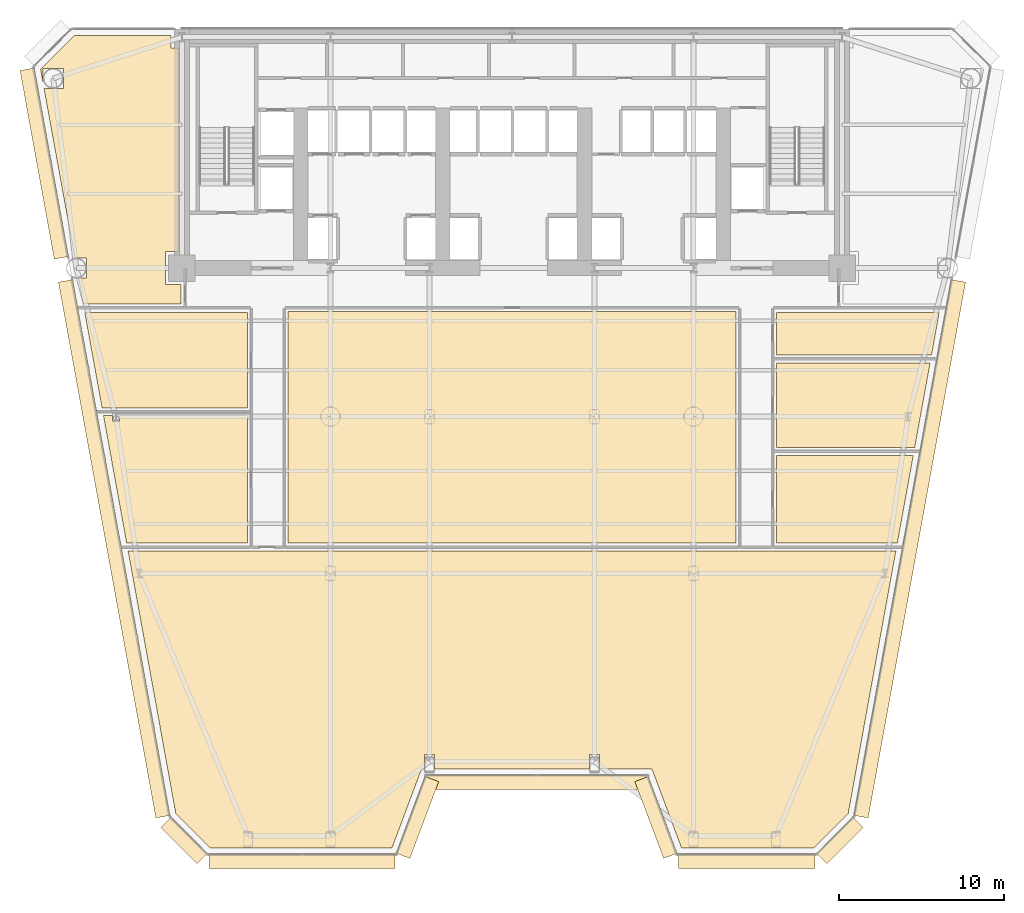
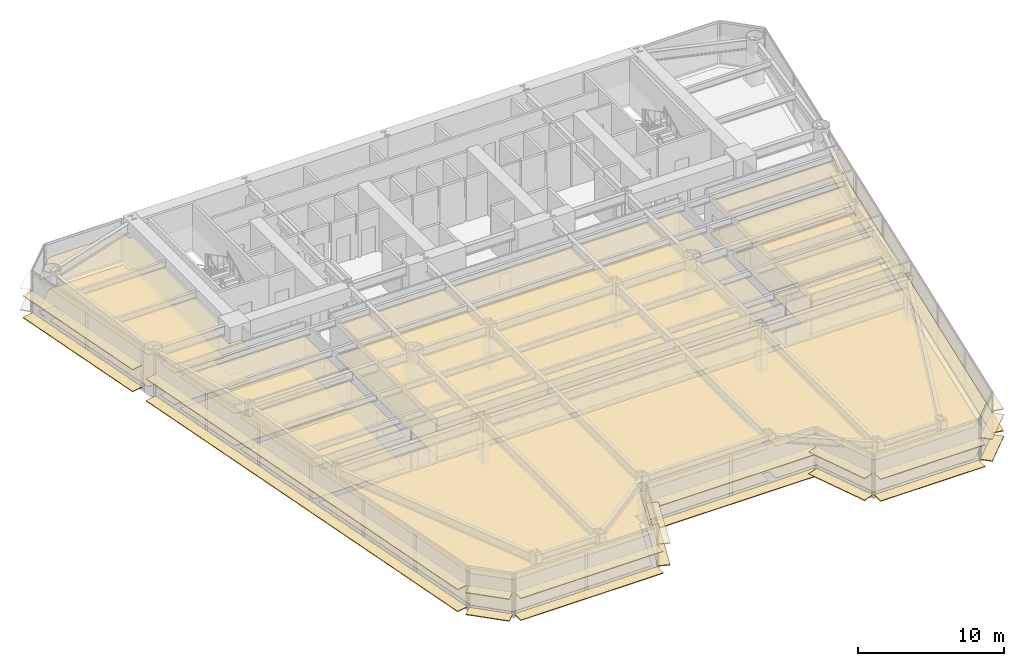
# One storey, part 11 of 14: 36 coverings.
"""IFC4 building model written with IfcOpenShell, lengths in metres."""

from ifc_helpers import new_model, si_unit, direction, frame, origin, origin_2d, place, context, subcontext, project, spatial, polyline, rectangle, outline, extrude, source, transform, mapped, material, layer, layer_set, type_object, element, save


model = new_model("IFC4")

# Units and contexts
model_context = context("Model", 3, precision=1e-05, world=origin(), true_north=direction((0.0, 1.0)))
body_context = subcontext(model_context, "Body", "Model", "MODEL_VIEW")
ifc_project = project(units=[si_unit("LENGTHUNIT", "METRE"), si_unit("AREAUNIT", "SQUARE_METRE"), si_unit("VOLUMEUNIT", "CUBIC_METRE"), si_unit("PLANEANGLEUNIT", "RADIAN"), si_unit("MASSUNIT", "GRAM", prefix="KILO")], contexts=[model_context])

# Site, building, storey
site_placement = place(None, origin())
site = spatial("IfcSite", under=ifc_project, at=site_placement, CompositionType="ELEMENT")
building_placement = place(site_placement, origin())
building = spatial("IfcBuilding", under=site, at=building_placement, Name="Vaeldorn Concourse Tower", CompositionType="ELEMENT")
storey_placement = place(building_placement, frame((0.0, 0.0, 34.0)))
storey = spatial("IfcBuildingStorey", under=building, at=storey_placement, Name="L08", CompositionType="ELEMENT", Elevation=34.0)

# Coverings
ifc_material_1 = material(Name="Acoustic Mineral Fibre Board", Category="gypsum")
ifc_layer_1 = layer(ifc_material_1, 0.0400390625)
ifc_layer_set_1 = layer_set([ifc_layer_1], Name="Acoustic Mineral Fibre Board")
covering_type_1 = type_object("IfcCoveringType", Name="COV-CEIL-ACOUSTIC", PredefinedType="CEILING", material=ifc_layer_set_1)
covering_1_placement = place(storey_placement, frame((0.0, 0.0, 2.64990234375)))
element("IfcCovering", 1, at=covering_1_placement, inside=storey, type_object=covering_type_1, Name="Suspended Acoustic Ceiling L08-4", PredefinedType="CEILING", context=body_context, shape_type="SweptSolid", body=[
    extrude(outline(polyline([(7.4658203125, 50.60009765625), (13.340087890625, 50.60009765625), (13.340087890625, 49.840087890625), (13.820068359375, 49.840087890625), (13.820068359375, 37.5), (13.0, 37.5), (13.0, 35.5), (13.93994140625, 35.5), (13.93994140625, 34.340087890625), (8.015625, 34.340087890625), (7.734130859375, 35.890380859375), (8.20947265625, 35.890380859375), (8.20947265625, 37.109619140625), (7.5126953125, 37.109619140625), (5.64453125, 47.390380859375), (6.8095703125, 47.390380859375), (6.8095703125, 48.609619140625), (5.590576171875, 48.609619140625), (5.590576171875, 47.687744140625), (5.43115234375, 48.565185546875), (7.4658203125, 50.60009765625)])), origin(), (0.0, 0.0, 1.0), 0.0400390625),
])
covering_2_placement = place(storey_placement, frame((0.0, 0.0, 2.64990234375)))
element("IfcCovering", 2, at=covering_2_placement, inside=storey, type_object=covering_type_1, Name="Suspended Acoustic Ceiling L08-6", PredefinedType="CEILING", context=body_context, shape_type="SweptSolid", body=[
    extrude(outline(polyline([(9.779052734375, 27.56005859375), (9.779052734375, 27.234619140625), (10.220947265625, 27.234619140625), (10.220947265625, 27.56005859375), (17.9599609375, 27.56005859375), (17.9599609375, 19.840087890625), (10.650390625, 19.840087890625), (9.247802734375, 27.56005859375), (9.779052734375, 27.56005859375)])), origin(), (0.0, 0.0, 1.0), 0.0400390625),
])
covering_3_placement = place(storey_placement, frame((0.0, 0.0, 2.64990234375)))
element("IfcCovering", 3, at=covering_3_placement, inside=storey, type_object=covering_type_1, Name="Suspended Acoustic Ceiling L08-7", PredefinedType="CEILING", context=body_context, shape_type="SweptSolid", body=[
    extrude(outline(polyline([(17.9599609375, 33.800048828125), (17.9599609375, 28.0400390625), (9.160400390625, 28.0400390625), (8.114013671875, 33.800048828125), (17.9599609375, 33.800048828125)])), origin(), (0.0, 0.0, 1.0), 0.0400390625),
])
covering_4_placement = place(storey_placement, frame((0.0, 0.0, 2.64990234375)))
element("IfcCovering", 4, at=covering_4_placement, inside=storey, type_object=covering_type_1, Name="Suspended Acoustic Ceiling L08-8", PredefinedType="CEILING", context=body_context, shape_type="SweptSolid", body=[
    extrude(outline(polyline([(50.0400390625, 19.840087890625), (50.0400390625, 25.159912109375), (58.316162109375, 25.159912109375), (57.349609375, 19.840087890625), (50.0400390625, 19.840087890625)])), origin(), (0.0, 0.0, 1.0), 0.0400390625),
])
covering_5_placement = place(storey_placement, frame((0.0, 0.0, 2.64990234375)))
element("IfcCovering", 5, at=covering_5_placement, inside=storey, type_object=covering_type_1, Name="Suspended Acoustic Ceiling L08-9", PredefinedType="CEILING", context=body_context, shape_type="SweptSolid", body=[
    extrude(outline(polyline([(50.0400390625, 25.639892578125), (50.0400390625, 30.760009765625), (59.333740234375, 30.760009765625), (58.4033203125, 25.639892578125), (50.0400390625, 25.639892578125)])), origin(), (0.0, 0.0, 1.0), 0.0400390625),
])
covering_6_placement = place(storey_placement, frame((0.0, 0.0, 2.64990234375)))
element("IfcCovering", 6, at=covering_6_placement, inside=storey, type_object=covering_type_1, Name="Suspended Acoustic Ceiling L08-10", PredefinedType="CEILING", context=body_context, shape_type="SweptSolid", body=[
    extrude(outline(polyline([(50.0400390625, 31.239990234375), (50.0400390625, 33.800048828125), (59.885986328125, 33.800048828125), (59.4208984375, 31.239990234375), (50.0400390625, 31.239990234375)])), origin(), (0.0, 0.0, 1.0), 0.0400390625),
])
covering_7_placement = place(storey_placement, frame((0.0, 0.0, 2.64990234375)))
element("IfcCovering", 7, at=covering_7_placement, inside=storey, type_object=covering_type_1, Name="Suspended Acoustic Ceiling L08-11", PredefinedType="CEILING", context=body_context, shape_type="SweptSolid", body=[
    extrude(outline(polyline([(20.43994140625, 33.860107421875), (47.56005859375, 33.860107421875), (47.56005859375, 19.840087890625), (20.43994140625, 19.840087890625), (20.43994140625, 33.860107421875)])), origin(), (0.0, 0.0, 1.0), 0.0400390625),
])
covering_8_placement = place(storey_placement, frame((0.0, 0.0, 2.64990234375)))
element("IfcCovering", 8, at=covering_8_placement, inside=storey, type_object=covering_type_1, Name="Suspended Acoustic Ceiling L08-12", PredefinedType="CEILING", context=body_context, shape_type="SweptSolid", body=[
    extrude(outline(polyline([(57.26220703125, 19.360107421875), (54.37158203125, 3.45068359375), (52.277099609375, 1.356201171875), (44.277099609375, 1.356201171875), (42.477294921875, 6.15625), (39.300048828125, 6.15625), (39.300048828125, 7.04541015625), (38.699951171875, 7.04541015625), (38.699951171875, 6.15625), (29.300048828125, 6.15625), (29.300048828125, 7.04541015625), (28.699951171875, 7.04541015625), (28.699951171875, 6.15625), (28.522705078125, 6.15625), (26.722900390625, 1.356201171875), (15.722900390625, 1.356201171875), (13.62841796875, 3.45068359375), (10.73779296875, 19.360107421875), (57.26220703125, 19.360107421875)])), origin(), (0.0, 0.0, 1.0), 0.0400390625),
])
ifc_material_2 = material(Name="Honed Limestone Terrazzo Flooring", Category="masonry")
ifc_layer_2 = layer(ifc_material_2, 0.0400390625)
ifc_layer_set_2 = layer_set([ifc_layer_2], Name="Honed Limestone Terrazzo Flooring")
covering_type_2 = type_object("IfcCoveringType", Name="COV-FLOOR-STONE", PredefinedType="FLOORING", material=ifc_layer_set_2)
covering_9_placement = place(storey_placement, origin())
element("IfcCovering", 9, at=covering_9_placement, inside=storey, type_object=covering_type_2, Name="Floor Finish Covering L08-4", PredefinedType="FLOORING", context=body_context, shape_type="SweptSolid", body=[
    extrude(outline(polyline([(7.4658203125, 50.60009765625), (13.340087890625, 50.60009765625), (13.340087890625, 49.840087890625), (13.820068359375, 49.840087890625), (13.820068359375, 37.5), (13.0, 37.5), (13.0, 35.5), (13.93994140625, 35.5), (13.93994140625, 34.340087890625), (8.015625, 34.340087890625), (7.734130859375, 35.890380859375), (8.20947265625, 35.890380859375), (8.20947265625, 37.109619140625), (7.5126953125, 37.109619140625), (5.64453125, 47.390380859375), (6.8095703125, 47.390380859375), (6.8095703125, 48.609619140625), (5.590576171875, 48.609619140625), (5.590576171875, 47.687744140625), (5.43115234375, 48.565185546875), (7.4658203125, 50.60009765625)])), origin(), (0.0, 0.0, 1.0), 0.030029296875),
])
covering_10_placement = place(storey_placement, origin())
element("IfcCovering", 10, at=covering_10_placement, inside=storey, type_object=covering_type_2, Name="Floor Finish Covering L08-6", PredefinedType="FLOORING", context=body_context, shape_type="SweptSolid", body=[
    extrude(outline(polyline([(9.779052734375, 27.56005859375), (9.779052734375, 27.234619140625), (10.220947265625, 27.234619140625), (10.220947265625, 27.56005859375), (17.9599609375, 27.56005859375), (17.9599609375, 19.840087890625), (10.650390625, 19.840087890625), (9.247802734375, 27.56005859375), (9.779052734375, 27.56005859375)])), origin(), (0.0, 0.0, 1.0), 0.030029296875),
])
covering_11_placement = place(storey_placement, origin())
element("IfcCovering", 11, at=covering_11_placement, inside=storey, type_object=covering_type_2, Name="Floor Finish Covering L08-7", PredefinedType="FLOORING", context=body_context, shape_type="SweptSolid", body=[
    extrude(outline(polyline([(17.9599609375, 33.800048828125), (17.9599609375, 28.0400390625), (9.160400390625, 28.0400390625), (8.114013671875, 33.800048828125), (17.9599609375, 33.800048828125)])), origin(), (0.0, 0.0, 1.0), 0.030029296875),
])
covering_12_placement = place(storey_placement, origin())
element("IfcCovering", 12, at=covering_12_placement, inside=storey, type_object=covering_type_2, Name="Floor Finish Covering L08-8", PredefinedType="FLOORING", context=body_context, shape_type="SweptSolid", body=[
    extrude(outline(polyline([(50.0400390625, 19.840087890625), (50.0400390625, 25.159912109375), (58.316162109375, 25.159912109375), (57.349609375, 19.840087890625), (50.0400390625, 19.840087890625)])), origin(), (0.0, 0.0, 1.0), 0.030029296875),
])
covering_13_placement = place(storey_placement, origin())
element("IfcCovering", 13, at=covering_13_placement, inside=storey, type_object=covering_type_2, Name="Floor Finish Covering L08-9", PredefinedType="FLOORING", context=body_context, shape_type="SweptSolid", body=[
    extrude(outline(polyline([(50.0400390625, 25.639892578125), (50.0400390625, 30.760009765625), (59.333740234375, 30.760009765625), (58.4033203125, 25.639892578125), (50.0400390625, 25.639892578125)])), origin(), (0.0, 0.0, 1.0), 0.030029296875),
])
covering_14_placement = place(storey_placement, origin())
element("IfcCovering", 14, at=covering_14_placement, inside=storey, type_object=covering_type_2, Name="Floor Finish Covering L08-10", PredefinedType="FLOORING", context=body_context, shape_type="SweptSolid", body=[
    extrude(outline(polyline([(50.0400390625, 31.239990234375), (50.0400390625, 33.800048828125), (59.885986328125, 33.800048828125), (59.4208984375, 31.239990234375), (50.0400390625, 31.239990234375)])), origin(), (0.0, 0.0, 1.0), 0.030029296875),
])
covering_15_placement = place(storey_placement, origin())
element("IfcCovering", 15, at=covering_15_placement, inside=storey, type_object=covering_type_2, Name="Floor Finish Covering L08-11", PredefinedType="FLOORING", context=body_context, shape_type="SweptSolid", body=[
    extrude(outline(polyline([(20.43994140625, 33.860107421875), (47.56005859375, 33.860107421875), (47.56005859375, 19.840087890625), (20.43994140625, 19.840087890625), (20.43994140625, 33.860107421875)])), origin(), (0.0, 0.0, 1.0), 0.030029296875),
])
covering_16_placement = place(storey_placement, origin())
element("IfcCovering", 16, at=covering_16_placement, inside=storey, type_object=covering_type_2, Name="Floor Finish Covering L08-12", PredefinedType="FLOORING", context=body_context, shape_type="SweptSolid", body=[
    extrude(outline(polyline([(57.26220703125, 19.360107421875), (54.37158203125, 3.45068359375), (52.277099609375, 1.356201171875), (44.277099609375, 1.356201171875), (42.477294921875, 6.15625), (39.300048828125, 6.15625), (39.300048828125, 7.04541015625), (38.699951171875, 7.04541015625), (38.699951171875, 6.15625), (29.300048828125, 6.15625), (29.300048828125, 7.04541015625), (28.699951171875, 7.04541015625), (28.699951171875, 6.15625), (28.522705078125, 6.15625), (26.722900390625, 1.356201171875), (15.722900390625, 1.356201171875), (13.62841796875, 3.45068359375), (10.73779296875, 19.360107421875), (57.26220703125, 19.360107421875)])), origin(), (0.0, 0.0, 1.0), 0.030029296875),
])
ifc_material_3 = material(Name="Anodised Bronze Aluminium", Category="aluminium")
ifc_layer_3 = layer(ifc_material_3, 0.06494140625)
ifc_layer_set_3 = layer_set([ifc_layer_3], Name="Anodised Bronze Aluminium")
covering_type_3 = type_object("IfcCoveringType", Name="SD-BRONZE-SUNSHADE", PredefinedType="USERDEFINED", material=ifc_layer_set_3)
shared_shape_1 = source(origin(), body_context, "Body", "SweptSolid", [
    extrude(rectangle(XDim=4.96630859375, YDim=0.8798828125, at=origin_2d()), origin(), (0.0, 0.0, 1.0), 0.06494140625),
])
for number, where, z_axis, x_axis, name in (
    (17, (28.2744140625, 3.2158203125, 0.047607421875), (0.0, 0.0, 1.0), (0.351122702609, 0.936329454686, 0.0), "Horizontal Bronze Sunshade L08-E02.1.1"),
    (18, (28.2744140625, 3.2158203125, 1.867431640625), (0.0, 0.0, 1.0), (0.351122702609, 0.936329454686, 0.0), "Horizontal Bronze Sunshade L08-E02.1.2"),
    (19, (42.7255859375, 3.2158203125, 0.047607421875), (0.0, 0.0, 1.0), (0.351122702609, -0.936329454686, 0.0), "Horizontal Bronze Sunshade L08-E04.1.1"),
    (20, (42.7255859375, 3.2158203125, 1.867431640625), (0.0, 0.0, 1.0), (0.351122702609, -0.936329454686, 0.0), "Horizontal Bronze Sunshade L08-E04.1.2"),
):
    element("IfcCovering", number, at=place(storey_placement, frame(where, z_axis=z_axis, x_axis=x_axis)), inside=storey, type_object=covering_type_3, Name=name, ObjectType="SUNSHADE", PredefinedType="USERDEFINED", context=body_context, shape_type="MappedRepresentation", body=[
        mapped(shared_shape_1, transform((0.0, 0.0, 0.0), scale=1.0)),
    ])
shared_shape_2 = source(origin(), body_context, "Body", "SweptSolid", [
    extrude(rectangle(XDim=13.239990234375, YDim=0.8798828125, at=origin_2d()), origin(), (0.0, 0.0, 1.0), 0.06494140625),
])
for number, where, z_axis, x_axis, name in (
    (21, (35.5, 5.356201171875, 0.047607421875), (0.0, 0.0, 1.0), (1.0, 0.0, 0.0), "Horizontal Bronze Sunshade L08-E03.1.1"),
    (22, (35.5, 5.356201171875, 1.867431640625), (0.0, 0.0, 1.0), (1.0, 0.0, 0.0), "Horizontal Bronze Sunshade L08-E03.1.2"),
):
    element("IfcCovering", number, at=place(storey_placement, frame(where, z_axis=z_axis, x_axis=x_axis)), inside=storey, type_object=covering_type_3, Name=name, ObjectType="SUNSHADE", PredefinedType="USERDEFINED", context=body_context, shape_type="MappedRepresentation", body=[
        mapped(shared_shape_2, transform((0.0, 0.0, 0.0), scale=1.0)),
    ])
shared_shape_3 = source(origin(), body_context, "Body", "SweptSolid", [
    extrude(rectangle(XDim=3.0927734375, YDim=0.8798828125, at=origin_2d()), origin(), (0.0, 0.0, 1.0), 0.06494140625),
])
for number, where, z_axis, x_axis, name in (
    (23, (53.87548828125, 1.823486328125, 0.047607421875), (0.0, 0.0, 1.0), (0.707106781187, 0.707106781187, 0.0), "Horizontal Bronze Sunshade L08-E06.1.1"),
    (24, (53.87548828125, 1.823486328125, 1.867431640625), (0.0, 0.0, 1.0), (0.707106781187, 0.707106781187, 0.0), "Horizontal Bronze Sunshade L08-E06.1.2"),
    (25, (14.12451171875, 1.823486328125, 0.047607421875), (0.0, 0.0, 1.0), (0.707106781187, -0.707106781187, 0.0), "Horizontal Bronze Sunshade L08-E12.1.1"),
    (26, (14.12451171875, 1.823486328125, 1.867431640625), (0.0, 0.0, 1.0), (0.707106781187, -0.707106781187, 0.0), "Horizontal Bronze Sunshade L08-E12.1.2"),
):
    element("IfcCovering", number, at=place(storey_placement, frame(where, z_axis=z_axis, x_axis=x_axis)), inside=storey, type_object=covering_type_3, Name=name, ObjectType="SUNSHADE", PredefinedType="USERDEFINED", context=body_context, shape_type="MappedRepresentation", body=[
        mapped(shared_shape_3, transform((0.0, 0.0, 0.0), scale=1.0)),
    ])
shared_shape_4 = source(origin(), body_context, "Body", "SweptSolid", [
    extrude(rectangle(XDim=11.28271484375, YDim=0.8798828125, at=origin_2d()), origin(), (0.0, 0.0, 1.0), 0.06494140625),
])
for number, where, z_axis, x_axis, name in (
    (27, (21.278564453125, 0.556396484375, 0.047607421875), (0.0, 0.0, 1.0), (1.0, 0.0, 0.0), "Horizontal Bronze Sunshade L08-E01.1.1"),
    (28, (21.278564453125, 0.556396484375, 1.867431640625), (0.0, 0.0, 1.0), (1.0, 0.0, 0.0), "Horizontal Bronze Sunshade L08-E01.1.2"),
):
    element("IfcCovering", number, at=place(storey_placement, frame(where, z_axis=z_axis, x_axis=x_axis)), inside=storey, type_object=covering_type_3, Name=name, ObjectType="SUNSHADE", PredefinedType="USERDEFINED", context=body_context, shape_type="MappedRepresentation", body=[
        mapped(shared_shape_4, transform((0.0, 0.0, 0.0), scale=1.0)),
    ])
shared_shape_5 = source(origin(), body_context, "Body", "SweptSolid", [
    extrude(rectangle(XDim=8.28271484375, YDim=0.8798828125, at=origin_2d()), origin(), (0.0, 0.0, 1.0), 0.06494140625),
])
for number, where, z_axis, x_axis, name in (
    (29, (48.221435546875, 0.556396484375, 0.047607421875), (0.0, 0.0, 1.0), (1.0, 0.0, 0.0), "Horizontal Bronze Sunshade L08-E05.1.1"),
    (30, (48.221435546875, 0.556396484375, 1.867431640625), (0.0, 0.0, 1.0), (1.0, 0.0, 0.0), "Horizontal Bronze Sunshade L08-E05.1.2"),
):
    element("IfcCovering", number, at=place(storey_placement, frame(where, z_axis=z_axis, x_axis=x_axis)), inside=storey, type_object=covering_type_3, Name=name, ObjectType="SUNSHADE", PredefinedType="USERDEFINED", context=body_context, shape_type="MappedRepresentation", body=[
        mapped(shared_shape_5, transform((0.0, 0.0, 0.0), scale=1.0)),
    ])
shared_shape_6 = source(origin(), body_context, "Body", "SweptSolid", [
    extrude(rectangle(XDim=32.998291015625, YDim=0.8798828125, at=origin_2d()), origin(), (0.0, 0.0, 1.0), 0.06494140625),
])
for number, where, z_axis, x_axis, name in (
    (31, (58.100341796875, 19.496826171875, 0.047607421875), (0.0, 0.0, 1.0), (0.178767870941, 0.983891278709, 0.0), "Horizontal Bronze Sunshade L08-E07.1.1"),
    (32, (58.100341796875, 19.496826171875, 1.867431640625), (0.0, 0.0, 1.0), (0.178767870941, 0.983891278709, 0.0), "Horizontal Bronze Sunshade L08-E07.1.2"),
    (33, (9.899658203125, 19.496826171875, 0.047607421875), (0.0, 0.0, 1.0), (0.178767870941, -0.983891278709, 0.0), "Horizontal Bronze Sunshade L08-E11.2.1"),
    (34, (9.899658203125, 19.496826171875, 1.867431640625), (0.0, 0.0, 1.0), (0.178767870941, -0.983891278709, 0.0), "Horizontal Bronze Sunshade L08-E11.2.2"),
):
    element("IfcCovering", number, at=place(storey_placement, frame(where, z_axis=z_axis, x_axis=x_axis)), inside=storey, type_object=covering_type_3, Name=name, ObjectType="SUNSHADE", PredefinedType="USERDEFINED", context=body_context, shape_type="MappedRepresentation", body=[
        mapped(shared_shape_6, transform((0.0, 0.0, 0.0), scale=1.0)),
    ])
shared_shape_7 = source(origin(), body_context, "Body", "SweptSolid", [
    extrude(rectangle(XDim=11.610107421875, YDim=0.8798828125, at=origin_2d()), origin(), (0.0, 0.0, 1.0), 0.06494140625),
])
for number, where, z_axis, x_axis, name in (
    (35, (5.658447265625, 42.838134765625, 0.047607421875), (0.0, 0.0, 1.0), (0.178767870941, -0.983891278709, 0.0), "Horizontal Bronze Sunshade L08-E11.1.1"),
    (36, (5.658447265625, 42.838134765625, 1.867431640625), (0.0, 0.0, 1.0), (0.178767870941, -0.983891278709, 0.0), "Horizontal Bronze Sunshade L08-E11.1.2"),
):
    element("IfcCovering", number, at=place(storey_placement, frame(where, z_axis=z_axis, x_axis=x_axis)), inside=storey, type_object=covering_type_3, Name=name, ObjectType="SUNSHADE", PredefinedType="USERDEFINED", context=body_context, shape_type="MappedRepresentation", body=[
        mapped(shared_shape_7, transform((0.0, 0.0, 0.0), scale=1.0)),
    ])

save(model, "model.ifc")
